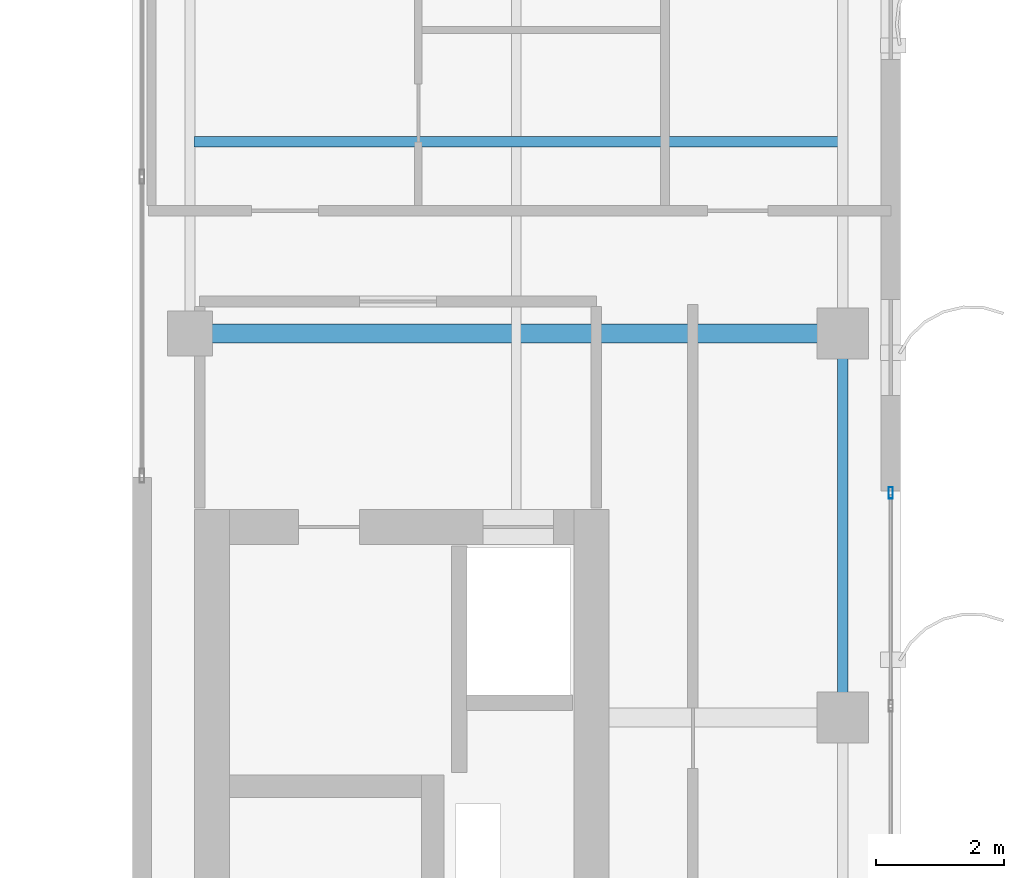
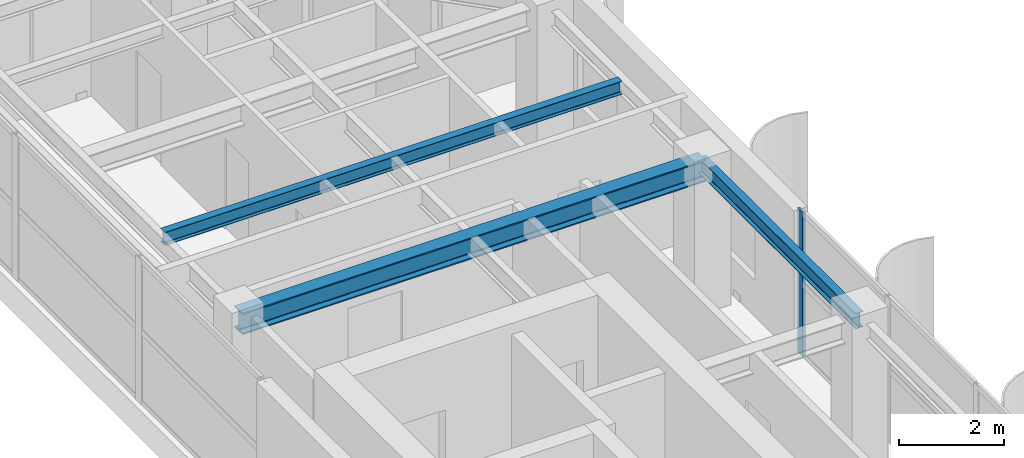
# One storey, part 13 of 24: 3 beams, 1 member, 1 element without a shape of its own.
"""IFC4 building model written with IfcOpenShell, lengths in metres."""

from ifc_helpers import new_model, si_unit, direction, frame, origin, origin_2d, place, context, subcontext, project, spatial, hollow_rectangle, i_section, extrude, source, transform, mapped, material, layer, layer_set, material_profile, profile_set, type_object, element, aggregate, save


model = new_model("IFC4")

# Units and contexts
model_context = context("Model", 3, precision=1e-05, world=origin(), true_north=direction((0.0, 1.0)))
body_context = subcontext(model_context, "Body", "Model", "MODEL_VIEW")
ifc_project = project(units=[si_unit("LENGTHUNIT", "METRE"), si_unit("AREAUNIT", "SQUARE_METRE"), si_unit("VOLUMEUNIT", "CUBIC_METRE"), si_unit("PLANEANGLEUNIT", "RADIAN"), si_unit("MASSUNIT", "GRAM", prefix="KILO")], contexts=[model_context])

# Site, building, storey
site_placement = place(None, origin())
site = spatial("IfcSite", under=ifc_project, at=site_placement, CompositionType="ELEMENT")
building_placement = place(site_placement, origin())
building = spatial("IfcBuilding", under=site, at=building_placement, Name="Khoralis Quay Care Tower", CompositionType="ELEMENT")
storey_placement = place(building_placement, frame((0.0, 0.0, 227.699951171875)))
storey = spatial("IfcBuildingStorey", under=building, at=storey_placement, Name="L59", CompositionType="ELEMENT", Elevation=227.699951171875)

# Beams
ifc_material_1 = material(Name="Steel S355", Category="steel")
ifc_material_profile_1 = material_profile(ifc_material_1, i_section(OverallWidth=0.169921875, OverallDepth=0.360107421875, WebThickness=0.008056640625, FlangeThickness=0.0126953125, FilletRadius=0.01806640625, at=origin_2d()), Name="Steel S355")
ifc_profile_set_1 = profile_set([ifc_material_profile_1], Name="Steel S355")
beam_type_1 = type_object("IfcBeamType", Name="BM-IPE360", PredefinedType="SPANDREL", material=ifc_profile_set_1)
shared_shape_1 = source(origin(), body_context, "Body", "SweptSolid", [
    extrude(i_section(OverallWidth=0.169921875, OverallDepth=0.360107421875, WebThickness=0.008056640625, FlangeThickness=0.0126953125, FilletRadius=0.01806640625, at=origin_2d()), origin(), (0.0, 0.0, 1.0), 6.0),
])
beam_1_placement = place(storey_placement, frame((41.10009765625, 24.0, 3.179931640625), z_axis=(0.0, 1.0, 0.0), x_axis=(-1.0, 0.0, 0.0)))
element("IfcBeam", 1, at=beam_1_placement, inside=storey, type_object=beam_type_1, Name="BM-TSP-L59-11", PredefinedType="SPANDREL", context=body_context, shape_type="MappedRepresentation", body=[
    mapped(shared_shape_1, transform((0.0, 0.0, 0.0), scale=1.0)),
])
ifc_material_profile_2 = material_profile(ifc_material_1, i_section(OverallWidth=0.300048828125, OverallDepth=0.5, WebThickness=0.014404296875, FlangeThickness=0.028076171875, FilletRadius=0.027099609375, at=origin_2d()), Name="Steel S355")
ifc_profile_set_2 = profile_set([ifc_material_profile_2], Name="Steel S355")
beam_type_2 = type_object("IfcBeamType", Name="BM-HEB500", PredefinedType="BEAM", material=ifc_profile_set_2)
shared_shape_2 = source(origin(), body_context, "Body", "SweptSolid", [
    extrude(i_section(OverallWidth=0.300048828125, OverallDepth=0.5, WebThickness=0.014404296875, FlangeThickness=0.028076171875, FilletRadius=0.027099609375, at=origin_2d()), origin(), (0.0, 0.0, 1.0), 10.2001953125),
])
beam_2_placement = place(storey_placement, frame((30.89990234375, 30.0, 3.110107421875), z_axis=(1.0, 0.0, 0.0), x_axis=(0.0, 1.0, 0.0)))
element("IfcBeam", 2, at=beam_2_placement, inside=storey, type_object=beam_type_2, Name="BM-TGXE-L59-300", PredefinedType="BEAM", context=body_context, shape_type="MappedRepresentation", body=[
    mapped(shared_shape_2, transform((0.0, 0.0, 0.0), scale=1.0)),
])
ifc_material_profile_3 = material_profile(ifc_material_1, i_section(OverallWidth=0.1650390625, OverallDepth=0.31005859375, WebThickness=0.005859375, FlangeThickness=0.009765625, FilletRadius=0.011962890625, at=origin_2d()), Name="Steel S355")
ifc_profile_set_3 = profile_set([ifc_material_profile_3], Name="Steel S355")
beam_type_3 = type_object("IfcBeamType", Name="BM-W310X39", PredefinedType="JOIST", material=ifc_profile_set_3)
shared_shape_3 = source(origin(), body_context, "Body", "SweptSolid", [
    extrude(i_section(OverallWidth=0.1650390625, OverallDepth=0.31005859375, WebThickness=0.005859375, FlangeThickness=0.009765625, FilletRadius=0.011962890625, at=origin_2d()), origin(), (0.0, 0.0, 1.0), 10.06396484375),
])
beam_3_placement = place(storey_placement, frame((30.965087890625, 33.0, 3.205078125), z_axis=(1.0, 0.0, 0.0), x_axis=(0.0, 1.0, 0.0)))
element("IfcBeam", 3, at=beam_3_placement, inside=storey, type_object=beam_type_3, Name="BM-TJS-L59-20", PredefinedType="JOIST", context=body_context, shape_type="MappedRepresentation", body=[
    mapped(shared_shape_3, transform((0.0, 0.0, 0.0), scale=1.0)),
])

# Curtain wall, member
ifc_material_2 = material(Name="Pale anodised aluminium", Category="aluminium")
ifc_layer = layer(ifc_material_2, 0.159912109375)
ifc_layer_set = layer_set([ifc_layer], Name="Pale anodised aluminium")
curtain_wall_type = type_object("IfcCurtainWallType", Name="CW-SYS-Z3", PredefinedType="NOTDEFINED", material=ifc_layer_set)
curtain_wall_placement = place(storey_placement, origin())
curtain_wall = element("IfcCurtainWall", 4, at=curtain_wall_placement, inside=storey, type_object=curtain_wall_type, Name="L59 Unitised Curtain Wall CW-L59-P2-E5", PredefinedType="NOTDEFINED")
ifc_material_profile_4 = material_profile(ifc_material_2, hollow_rectangle(XDim=0.06494140625, YDim=0.179931640625, WallThickness=0.00390625, at=origin_2d()), Name="Pale anodised aluminium")
ifc_profile_set_4 = profile_set([ifc_material_profile_4], Name="Pale anodised aluminium")
member_type = type_object("IfcMemberType", Name="CW-MUL-180", PredefinedType="MULLION", material=ifc_profile_set_4)
shared_shape_4 = source(origin(), body_context, "Body", "SweptSolid", [
    extrude(hollow_rectangle(XDim=0.06494140625, YDim=0.179931640625, WallThickness=0.00390625, at=origin_2d()), origin(), (0.0, 0.0, 1.0), 3.360107421875),
])
member_placement = place(storey_placement, frame((41.85009765625, 27.510009765625, 0.0), z_axis=(0.0, 0.0, 1.0), x_axis=(-1.0, 0.0, 0.0)))
member = element("IfcMember", 5, at=member_placement, type_object=member_type, Name="CW3 mullion 4", PredefinedType="MULLION", context=body_context, shape_type="MappedRepresentation", body=[
    mapped(shared_shape_4, transform((0.0, 0.0, 0.0), scale=1.0)),
])
aggregate(curtain_wall, [member])

save(model, "model.ifc")
